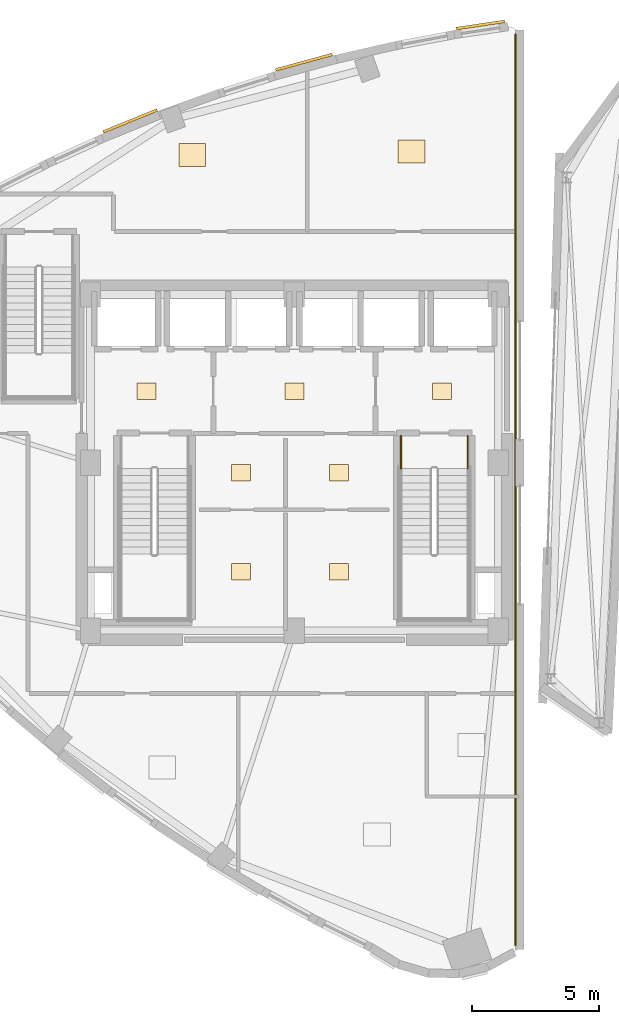
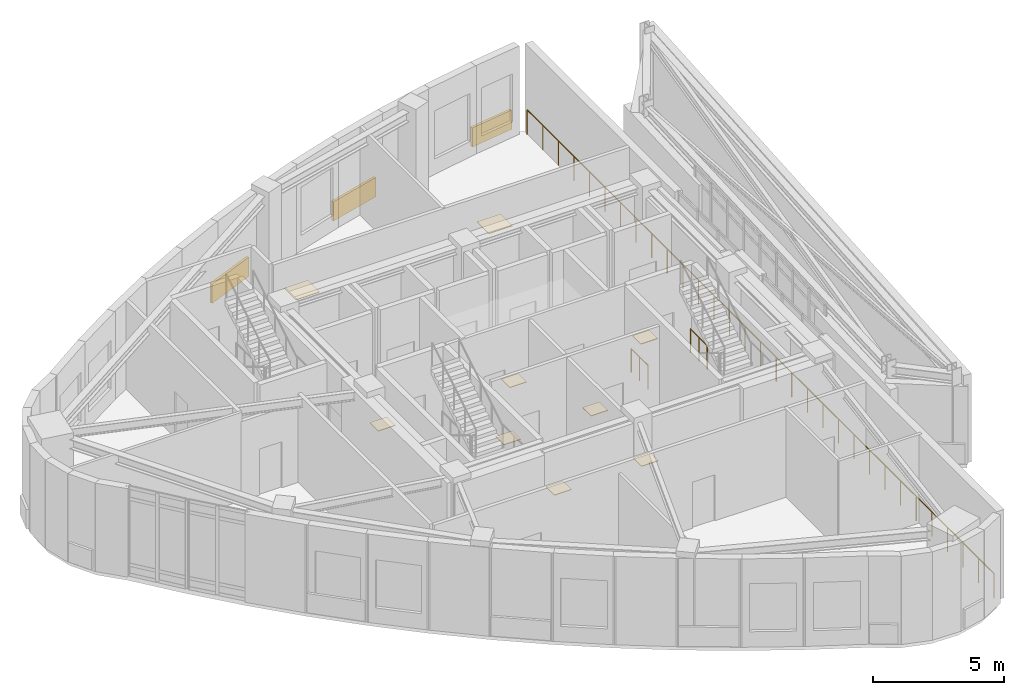
# One storey, part 19 of 19: 12 coverings, 3 railings.
"""IFC4 building model written with IfcOpenShell, lengths in metres."""

from ifc_helpers import new_model, si_unit, direction, frame, origin, origin_2d, place, context, subcontext, project, spatial, rectangle, circle, extrude, material, layer, layer_set, type_object, element, save


model = new_model("IFC4")

# Units and contexts
model_context = context("Model", 3, precision=1e-05, world=origin(), true_north=direction((0.0, 1.0)))
body_context = subcontext(model_context, "Body", "Model", "MODEL_VIEW")
ifc_project = project(units=[si_unit("LENGTHUNIT", "METRE"), si_unit("AREAUNIT", "SQUARE_METRE"), si_unit("VOLUMEUNIT", "CUBIC_METRE"), si_unit("PLANEANGLEUNIT", "RADIAN"), si_unit("MASSUNIT", "GRAM", prefix="KILO")], contexts=[model_context])

# Site, building, storey
site_placement = place(None, origin())
site = spatial("IfcSite", under=ifc_project, at=site_placement, CompositionType="ELEMENT")
building_placement = place(site_placement, origin())
building = spatial("IfcBuilding", under=site, at=building_placement, Name="Ndelora Gate Hotel", CompositionType="ELEMENT")
storey_placement = place(building_placement, frame((0.0, 0.0, 286.0)))
storey = spatial("IfcBuildingStorey", under=building, at=storey_placement, Name="L71", CompositionType="ELEMENT", Elevation=286.0)

# Coverings
ifc_material_1 = material(Name="Terracotta Fired Clay Brick Slip Cladding", Category="masonry")
ifc_layer_1 = layer(ifc_material_1, 0.110107421875)
ifc_layer_set_1 = layer_set([ifc_layer_1], Name="Terracotta Fired Clay Brick Slip Cladding")
covering_type_1 = type_object("IfcCoveringType", Name="COV-CLAD-BRK", PredefinedType="CLADDING", material=ifc_layer_set_1)
covering_1_placement = place(storey_placement, frame((7.30078125, 17.177001953125, 0.10009765625), z_axis=(0.0, 0.0, 1.0), x_axis=(0.989170106698, 0.146773635283, 0.0)))
element("IfcCovering", 1, at=covering_1_placement, inside=storey, type_object=covering_type_1, Name="L71 Rounded-Corner Brick Cladding Band 52", PredefinedType="CLADDING", context=body_context, shape_type="SweptSolid", body=[
    extrude(rectangle(XDim=1.924072265625, YDim=0.110107421875, at=origin_2d()), origin(), (0.0, 0.0, 1.0), 0.89990234375),
])
covering_2_placement = place(storey_placement, frame((0.377197265625, 15.71826171875, 0.10009765625), z_axis=(0.0, 0.0, 1.0), x_axis=(0.964924914393, 0.262526016964, 0.0)))
element("IfcCovering", 2, at=covering_2_placement, inside=storey, type_object=covering_type_1, Name="L71 Rounded-Corner Brick Cladding Band 55", PredefinedType="CLADDING", context=body_context, shape_type="SweptSolid", body=[
    extrude(rectangle(XDim=2.301025390625, YDim=0.110107421875, at=origin_2d()), origin(), (0.0, 0.0, 1.0), 0.89990234375),
])
covering_3_placement = place(storey_placement, frame((-6.442138671875, 13.411865234375, 0.10009765625), z_axis=(0.0, 0.0, 1.0), x_axis=(0.926068294858, 0.377355950342, 0.0)))
element("IfcCovering", 3, at=covering_3_placement, inside=storey, type_object=covering_type_1, Name="L71 Rounded-Corner Brick Cladding Band 58", PredefinedType="CLADDING", context=body_context, shape_type="SweptSolid", body=[
    extrude(rectangle(XDim=2.2890625, YDim=0.110107421875, at=origin_2d()), origin(), (0.0, 0.0, 1.0), 0.89990234375),
])
ifc_material_2 = material(Name="Engineered Highland Oak Parquet", Category="wood")
ifc_layer_2 = layer(ifc_material_2, 0.030029296875)
ifc_layer_set_2 = layer_set([ifc_layer_2], Name="Engineered Highland Oak Parquet")
covering_type_2 = type_object("IfcCoveringType", Name="COV-FLR-PARQ", PredefinedType="FLOORING", material=ifc_layer_set_2)
for number, where, z_axis, x_axis, name in (
    (4, (-4.006103515625, 12.08056640625, 0.0), (0.0, 0.0, 1.0), (1.0, 0.0, 0.0), "L71 Horizon Observation Deck Oak Parquet Flooring"),
    (5, (4.593994140625, 12.219482421875, 0.0), (0.0, 0.0, 1.0), (1.0, 0.0, 0.0), "L71 Summit Heritage Museum Room Oak Parquet Flooring"),
):
    element("IfcCovering", number, at=place(storey_placement, frame(where, z_axis=z_axis, x_axis=x_axis)), inside=storey, type_object=covering_type_2, Name=name, PredefinedType="FLOORING", context=body_context, shape_type="SweptSolid", body=[
        extrude(rectangle(XDim=1.050048828125, YDim=0.89990234375, at=origin_2d()), origin(), (0.0, 0.0, 1.0), 0.030029296875),
    ])
ifc_material_3 = material(Name="Non-Slip Porcelain Wet-Room Tile", Category="ceramic")
ifc_layer_3 = layer(ifc_material_3, 0.02490234375)
ifc_layer_set_3 = layer_set([ifc_layer_3], Name="Non-Slip Porcelain Wet-Room Tile")
covering_type_3 = type_object("IfcCoveringType", Name="COV-FLR-TILE", PredefinedType="FLOORING", material=ifc_layer_set_3)
for number, where, z_axis, x_axis, name in (
    (6, (-5.800048828125, 2.800048828125, 0.0), (0.0, 0.0, 1.0), (1.0, 0.0, 0.0), "L71 Firefighting Lift Lobby West Porcelain Tile Flooring"),
    (7, (5.800048828125, 2.800048828125, 0.0), (0.0, 0.0, 1.0), (1.0, 0.0, 0.0), "L71 Firefighting Lift Lobby East Porcelain Tile Flooring"),
    (8, (0.0, 2.800048828125, 0.0), (0.0, 0.0, 1.0), (1.0, 0.0, 0.0), "L71 Central Passenger Lift Lobby Porcelain Tile Flooring"),
    (9, (-2.10009765625, -0.39990234375, 0.0), (0.0, 0.0, 1.0), (1.0, 0.0, 0.0), "L71 Core Electrical Closet Porcelain Tile Flooring"),
    (10, (1.75, -0.39990234375, 0.0), (0.0, 0.0, 1.0), (1.0, 0.0, 0.0), "L71 Comms Patching Store Porcelain Tile Flooring"),
    (11, (-2.10009765625, -4.27490234375, 0.0), (0.0, 0.0, 1.0), (1.0, 0.0, 0.0), "L71 Valet Laundry Store Porcelain Tile Flooring"),
    (12, (1.75, -4.27490234375, 0.0), (0.0, 0.0, 1.0), (1.0, 0.0, 0.0), "L71 Housekeeping Reserve Store Porcelain Tile Flooring"),
):
    element("IfcCovering", number, at=place(storey_placement, frame(where, z_axis=z_axis, x_axis=x_axis)), inside=storey, type_object=covering_type_3, Name=name, PredefinedType="FLOORING", context=body_context, shape_type="SweptSolid", body=[
        extrude(rectangle(XDim=0.75, YDim=0.64990234375, at=origin_2d()), origin(), (0.0, 0.0, 1.0), 0.02490234375),
    ])

# Railings
ifc_material_4 = material(Name="Laminated Safety Glass and Bronze Top Rail", Category="glass")
ifc_layer_4 = layer(ifc_material_4, 0.070068359375)
ifc_layer_set_4 = layer_set([ifc_layer_4], Name="Laminated Safety Glass and Bronze Top Rail")
railing_type_1 = type_object("IfcRailingType", Name="RL-BAL-1150", PredefinedType="BALUSTRADE", material=ifc_layer_set_4)
railing_placement = place(storey_placement, frame((8.679931640625, -18.9306640625, 0.0)))
element("IfcRailing", 13, at=railing_placement, inside=storey, type_object=railing_type_1, Name="L71 Split-Crown Sky-Slot Safety Guard M", PredefinedType="BALUSTRADE", context=body_context, shape_type="SweptSolid", body=[
    extrude(circle(Radius=0.02392578125, at=origin_2d()), frame((0.0, 0.0, 1.1357421875), z_axis=(0.0, 1.0, 0.0), x_axis=(-1.0, 0.0, 0.0)), (0.0, 0.0, 1.0), 35.737060546875),
    extrude(circle(Radius=0.02099609375, at=origin_2d()), origin(), (0.0, 0.0, 1.0), 1.11181640625),
    extrude(circle(Radius=0.02099609375, at=origin_2d()), frame((0.0, 1.191162109375, 0.0)), (0.0, 0.0, 1.0), 1.11181640625),
    extrude(circle(Radius=0.02099609375, at=origin_2d()), frame((0.0, 2.382568359375, 0.0)), (0.0, 0.0, 1.0), 1.11181640625),
    extrude(circle(Radius=0.02099609375, at=origin_2d()), frame((0.0, 3.57373046875, 0.0)), (0.0, 0.0, 1.0), 1.11181640625),
    extrude(circle(Radius=0.02099609375, at=origin_2d()), frame((0.0, 4.764892578125, 0.0)), (0.0, 0.0, 1.0), 1.11181640625),
    extrude(circle(Radius=0.02099609375, at=origin_2d()), frame((0.0, 5.9560546875, 0.0)), (0.0, 0.0, 1.0), 1.11181640625),
    extrude(circle(Radius=0.02099609375, at=origin_2d()), frame((0.0, 7.1474609375, 0.0)), (0.0, 0.0, 1.0), 1.11181640625),
    extrude(circle(Radius=0.02099609375, at=origin_2d()), frame((0.0, 8.338623046875, 0.0)), (0.0, 0.0, 1.0), 1.11181640625),
    extrude(circle(Radius=0.02099609375, at=origin_2d()), frame((0.0, 9.52978515625, 0.0)), (0.0, 0.0, 1.0), 1.11181640625),
    extrude(circle(Radius=0.02099609375, at=origin_2d()), frame((0.0, 10.72119140625, 0.0)), (0.0, 0.0, 1.0), 1.11181640625),
    extrude(circle(Radius=0.02099609375, at=origin_2d()), frame((0.0, 11.912353515625, 0.0)), (0.0, 0.0, 1.0), 1.11181640625),
    extrude(circle(Radius=0.02099609375, at=origin_2d()), frame((0.0, 13.103515625, 0.0)), (0.0, 0.0, 1.0), 1.11181640625),
    extrude(circle(Radius=0.02099609375, at=origin_2d()), frame((0.0, 14.294921875, 0.0)), (0.0, 0.0, 1.0), 1.11181640625),
    extrude(circle(Radius=0.02099609375, at=origin_2d()), frame((0.0, 15.486083984375, 0.0)), (0.0, 0.0, 1.0), 1.11181640625),
    extrude(circle(Radius=0.02099609375, at=origin_2d()), frame((0.0, 16.67724609375, 0.0)), (0.0, 0.0, 1.0), 1.11181640625),
    extrude(circle(Radius=0.02099609375, at=origin_2d()), frame((0.0, 17.86865234375, 0.0)), (0.0, 0.0, 1.0), 1.11181640625),
    extrude(circle(Radius=0.02099609375, at=origin_2d()), frame((0.0, 19.059814453125, 0.0)), (0.0, 0.0, 1.0), 1.11181640625),
    extrude(circle(Radius=0.02099609375, at=origin_2d()), frame((0.0, 20.2509765625, 0.0)), (0.0, 0.0, 1.0), 1.11181640625),
    extrude(circle(Radius=0.02099609375, at=origin_2d()), frame((0.0, 21.442138671875, 0.0)), (0.0, 0.0, 1.0), 1.11181640625),
    extrude(circle(Radius=0.02099609375, at=origin_2d()), frame((0.0, 22.633544921875, 0.0)), (0.0, 0.0, 1.0), 1.11181640625),
    extrude(circle(Radius=0.02099609375, at=origin_2d()), frame((0.0, 23.82470703125, 0.0)), (0.0, 0.0, 1.0), 1.11181640625),
    extrude(circle(Radius=0.02099609375, at=origin_2d()), frame((0.0, 25.015869140625, 0.0)), (0.0, 0.0, 1.0), 1.11181640625),
    extrude(circle(Radius=0.02099609375, at=origin_2d()), frame((0.0, 26.207275390625, 0.0)), (0.0, 0.0, 1.0), 1.11181640625),
    extrude(circle(Radius=0.02099609375, at=origin_2d()), frame((0.0, 27.3984375, 0.0)), (0.0, 0.0, 1.0), 1.11181640625),
    extrude(circle(Radius=0.02099609375, at=origin_2d()), frame((0.0, 28.589599609375, 0.0)), (0.0, 0.0, 1.0), 1.11181640625),
    extrude(circle(Radius=0.02099609375, at=origin_2d()), frame((0.0, 29.78076171875, 0.0)), (0.0, 0.0, 1.0), 1.11181640625),
    extrude(circle(Radius=0.02099609375, at=origin_2d()), frame((0.0, 30.97216796875, 0.0)), (0.0, 0.0, 1.0), 1.11181640625),
    extrude(circle(Radius=0.02099609375, at=origin_2d()), frame((0.0, 32.163330078125, 0.0)), (0.0, 0.0, 1.0), 1.11181640625),
    extrude(circle(Radius=0.02099609375, at=origin_2d()), frame((0.0, 33.3544921875, 0.0)), (0.0, 0.0, 1.0), 1.11181640625),
    extrude(circle(Radius=0.02099609375, at=origin_2d()), frame((0.0, 34.5458984375, 0.0)), (0.0, 0.0, 1.0), 1.11181640625),
    extrude(circle(Radius=0.02099609375, at=origin_2d()), frame((0.0, 35.737060546875, 0.0)), (0.0, 0.0, 1.0), 1.11181640625),
])
ifc_material_5 = material(Name="Painted Galvanized Steel Balustrade", Category="steel")
ifc_layer_5 = layer(ifc_material_5, 0.06005859375)
ifc_layer_set_5 = layer_set([ifc_layer_5], Name="Painted Galvanized Steel Balustrade")
railing_type_2 = type_object("IfcRailingType", Name="RL-STAIR-GD", PredefinedType="GUARDRAIL", material=ifc_layer_set_5)
for number, where, name in (
    (14, (4.179931640625, 1.050048828125, 0.0), "L71 ST5 stair guard 8"),
    (15, (6.800048828125, 1.050048828125, 0.0), "L71 ST5 stair guard 9"),
):
    element("IfcRailing", number, at=place(storey_placement, frame(where)), inside=storey, type_object=railing_type_2, Name=name, PredefinedType="GUARDRAIL", context=body_context, shape_type="SweptSolid", body=[
        extrude(circle(Radius=0.02392578125, at=origin_2d()), frame((0.0, 0.0, 1.10595703125), z_axis=(0.0, -1.0, 0.0), x_axis=(1.0, 0.0, 0.0)), (0.0, 0.0, 1.0), 1.280029296875),
        extrude(circle(Radius=0.02099609375, at=origin_2d()), origin(), (0.0, 0.0, 1.0), 1.081787109375),
        extrude(circle(Radius=0.02099609375, at=origin_2d()), frame((0.0, -0.64013671875, 0.0)), (0.0, 0.0, 1.0), 1.081787109375),
        extrude(circle(Radius=0.02099609375, at=origin_2d()), frame((0.0, -1.280029296875, 0.0)), (0.0, 0.0, 1.0), 1.081787109375),
    ])

save(model, "model.ifc")
